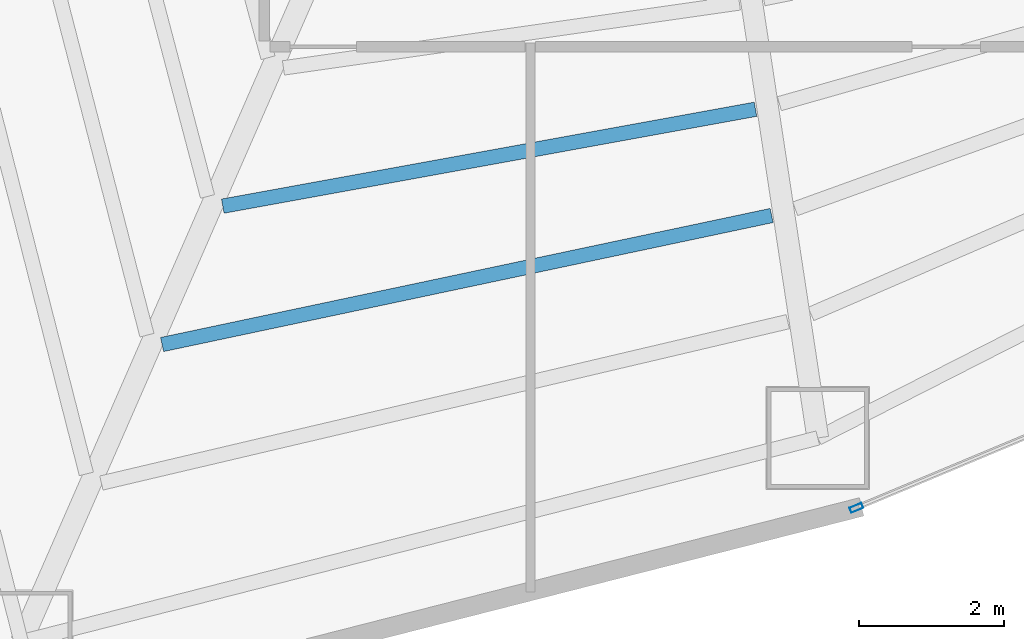
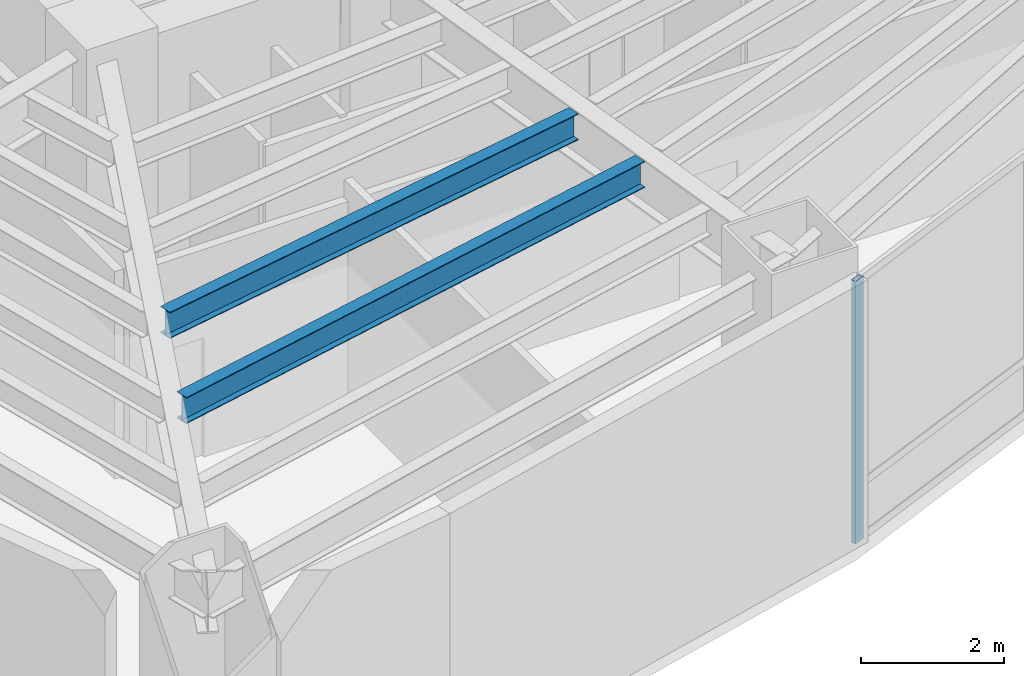
# One storey, part 2 of 18: 2 beams, 1 member, 1 element without a shape of its own.
"""IFC4 building model written with IfcOpenShell, lengths in metres."""

from ifc_helpers import new_model, si_unit, direction, frame, origin, origin_2d, place, context, subcontext, project, spatial, hollow_rectangle, i_section, extrude, material, layer, layer_set, material_profile, profile_set, type_object, element, aggregate, save


model = new_model("IFC4")

# Units and contexts
model_context = context("Model", 3, precision=1e-05, world=origin(), true_north=direction((0.0, 1.0)))
body_context = subcontext(model_context, "Body", "Model", "MODEL_VIEW")
ifc_project = project(units=[si_unit("LENGTHUNIT", "METRE"), si_unit("AREAUNIT", "SQUARE_METRE"), si_unit("VOLUMEUNIT", "CUBIC_METRE"), si_unit("PLANEANGLEUNIT", "RADIAN"), si_unit("MASSUNIT", "GRAM", prefix="KILO")], contexts=[model_context])

# Site, building, storey
site_placement = place(None, origin())
site = spatial("IfcSite", under=ifc_project, at=site_placement, CompositionType="ELEMENT")
building_placement = place(site_placement, origin())
building = spatial("IfcBuilding", under=site, at=building_placement, Name="Menara Vayukalpa", CompositionType="ELEMENT")
storey_placement = place(building_placement, frame((0.0, 0.0, 18.0)))
storey = spatial("IfcBuildingStorey", under=building, at=storey_placement, Name="L03", CompositionType="ELEMENT", Elevation=18.0)

# Beams
ifc_material_1 = material(Name="Steel S355", Category="steel")
ifc_material_profile_1 = material_profile(ifc_material_1, i_section(OverallWidth=0.199951171875, OverallDepth=0.449951171875, WebThickness=0.009033203125, FlangeThickness=0.013916015625, at=origin_2d()), Name="WF 450x200x9x14")
ifc_profile_set_1 = profile_set([ifc_material_profile_1], Name="Steel S355")
beam_type = type_object("IfcBeamType", Name="BM-SJ1", PredefinedType="JOIST", material=ifc_profile_set_1)
beam_1_placement = place(storey_placement, frame((15.247314453125, 11.00634765625, 4.2548828125), z_axis=(0.98386051846, 0.178937084517, 0.0), x_axis=(-0.178937084517, 0.98386051846, 0.0)))
element("IfcBeam", 1, at=beam_1_placement, inside=storey, type_object=beam_type, Name="L03 Secondary Floor Joist SJ07-3", PredefinedType="JOIST", context=body_context, shape_type="SweptSolid", body=[
    extrude(i_section(OverallWidth=0.199951171875, OverallDepth=0.449951171875, WebThickness=0.009033203125, FlangeThickness=0.013916015625, at=origin_2d()), origin(), (0.0, 0.0, 1.0), 7.48779296875),
])
beam_2_placement = place(storey_placement, frame((14.408203125, 9.0927734375, 4.2548828125), z_axis=(0.978324318859, 0.207078553039, 0.0), x_axis=(-0.207078553039, 0.978324318859, 0.0)))
element("IfcBeam", 2, at=beam_2_placement, inside=storey, type_object=beam_type, Name="L03 Secondary Floor Joist SJ07-4", PredefinedType="JOIST", context=body_context, shape_type="SweptSolid", body=[
    extrude(i_section(OverallWidth=0.199951171875, OverallDepth=0.449951171875, WebThickness=0.009033203125, FlangeThickness=0.013916015625, at=origin_2d()), origin(), (0.0, 0.0, 1.0), 8.615966796875),
])

# Curtain wall, member
ifc_material_2 = material(Name="Anodised Terracotta Aluminium Alloy 6063-T6", Category="masonry")
ifc_layer = layer(ifc_material_2, 0.179931640625)
ifc_layer_set = layer_set([ifc_layer], Name="Anodised Terracotta Aluminium Alloy 6063-T6")
curtain_wall_type = type_object("IfcCurtainWallType", Name="CW-CW1", PredefinedType="USERDEFINED", material=ifc_layer_set)
curtain_wall_placement = place(storey_placement, origin())
curtain_wall = element("IfcCurtainWall", 3, at=curtain_wall_placement, inside=storey, type_object=curtain_wall_type, Name="L03 Podium Unitised Ribbon Curtain Wall CW1 16", ObjectType="UNITISED", PredefinedType="USERDEFINED")
ifc_material_3 = material(Name="Anodised Terracotta Aluminium Alloy 6063-T6", Category="masonry")
ifc_material_profile_2 = material_profile(ifc_material_3, hollow_rectangle(XDim=0.074951171875, YDim=0.179931640625, WallThickness=0.00390625, at=origin_2d()), Name="ALU 75x180x4")
ifc_profile_set_2 = profile_set([ifc_material_profile_2], Name="Anodised Terracotta Aluminium Alloy 6063-T6")
member_type = type_object("IfcMemberType", Name="CWM-CW1", PredefinedType="MULLION", material=ifc_profile_set_2)
member_placement = place(storey_placement, frame((24.00927734375, 6.83447265625, 0.0), z_axis=(0.0, 0.0, 1.0), x_axis=(-0.385890613077, 0.922544543499, 0.0)))
member = element("IfcMember", 4, at=member_placement, type_object=member_type, Name="CW1 mullion 1", PredefinedType="MULLION", context=body_context, shape_type="SweptSolid", body=[
    extrude(hollow_rectangle(XDim=0.074951171875, YDim=0.179931640625, WallThickness=0.00390625, at=origin_2d()), origin(), (0.0, 0.0, 1.0), 4.47998046875),
])
aggregate(curtain_wall, [member])

save(model, "model.ifc")
